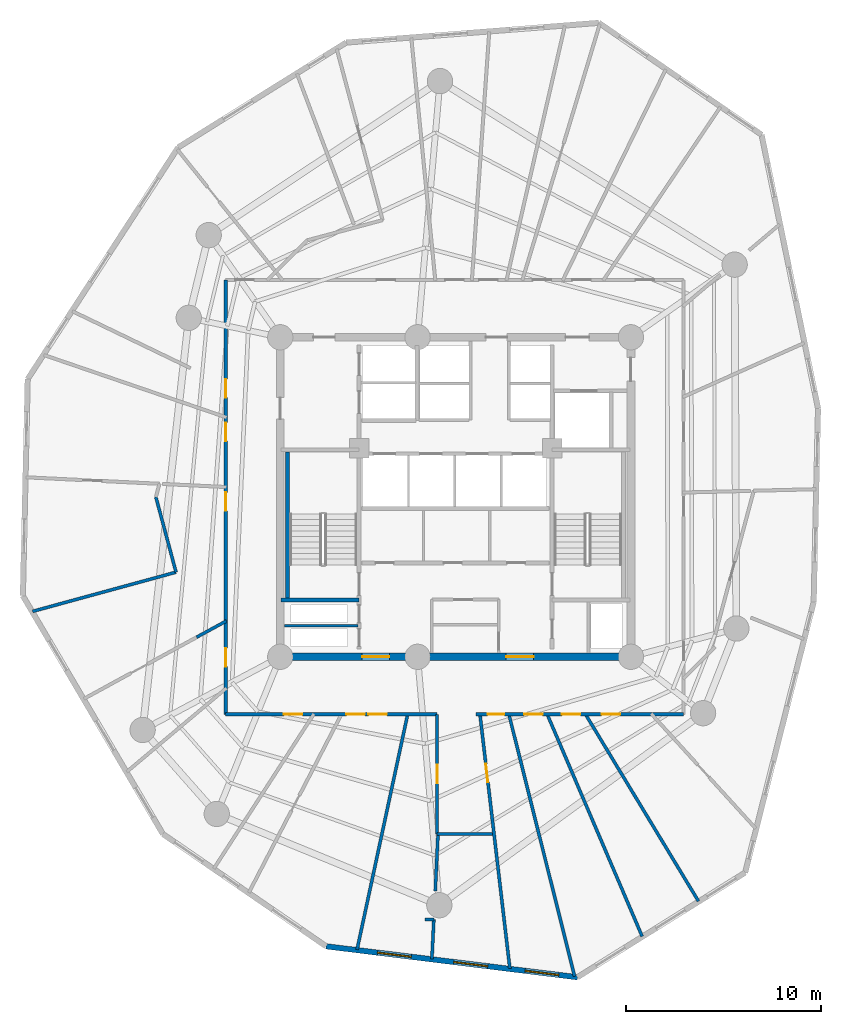
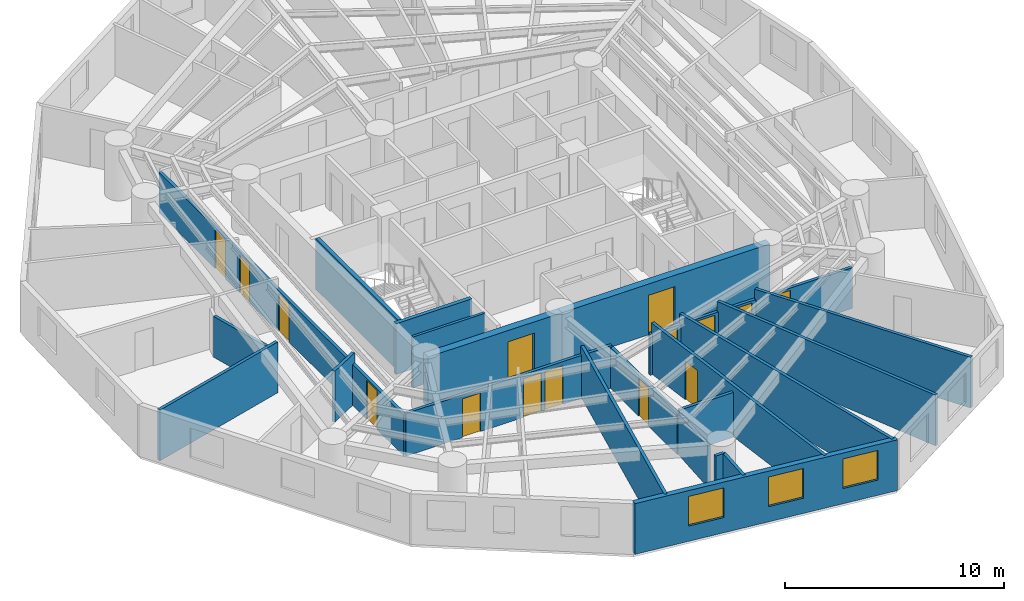
# One storey, part 3 of 8: 22 walls, 15 doors, 3 windows, 18 openings.
"""IFC4 building model written with IfcOpenShell, lengths in metres."""

import ifcopenshell
import ifcopenshell.guid

model = None  # the IFC model being written
_history = None  # IfcOwnerHistory: only IFC2X3 demands one
_inside = {}  # id of a spatial element -> (the spatial element, [elements in it])
_under = {}  # id of a project, library or spatial element -> (it, [spatial elements below it])
_declared = {}  # id of a project -> (the project, [libraries it declares])
_typed = {}  # id of a type object -> (the type object, [elements of that type])
_made_of = {}  # id of a material, layer set ... -> (it, [elements and type objects made of it])


def new_model(schema):
    """Start an empty IFC model of exactly this schema.

    Asked for "IFC4X3", IfcOpenShell would pick the latest addendum, in which some entities
    have other attributes; the version numbers below select the first issue.
    IFC2X3 requires an IfcOwnerHistory on every rooted entity: one is made here for all.
    """
    global model, _history
    if schema == "IFC4X3":
        model = ifcopenshell.file(schema_version=(4, 3, 0, 0))
    else:
        model = ifcopenshell.file(schema=schema)
    _inside.clear()
    _under.clear()
    _declared.clear()
    _typed.clear()
    _made_of.clear()
    _history = None
    if model.schema == "IFC2X3":
        org = make("IfcOrganization", Name="unknown")
        user = make(
            "IfcPersonAndOrganization",
            ThePerson=make("IfcPerson", FamilyName="unknown"),
            TheOrganization=org,
        )
        app = make(
            "IfcApplication",
            ApplicationDeveloper=org,
            Version="unknown",
            ApplicationFullName="unknown",
            ApplicationIdentifier="unknown",
        )
        _history = make(
            "IfcOwnerHistory",
            OwningUser=user,
            OwningApplication=app,
            ChangeAction="ADDED",
            CreationDate=0,
        )
    return model


def make(cls, **values):
    """One entity of the class cls with the attributes given. An attribute that is None is left unset."""
    return model.create_entity(
        cls, **{name: value for name, value in values.items() if value is not None}
    )


def rooted(cls, **values):
    """An entity with a GlobalId (a new one), such as an element, a storey or a relation."""
    return make(cls, GlobalId=ifcopenshell.guid.new(), OwnerHistory=_history, **values)


def si_unit(unit_type, name, prefix=None):
    """IfcSIUnit, for example si_unit("LENGTHUNIT", "METRE", prefix="MILLI")."""
    return make("IfcSIUnit", UnitType=unit_type, Prefix=prefix, Name=name)


def assignment(units):
    """IfcUnitAssignment: the units of a project."""
    return None if units is None else make("IfcUnitAssignment", Units=units)


def point(xyz):
    """IfcCartesianPoint."""
    return None if xyz is None else make("IfcCartesianPoint", Coordinates=xyz)


def direction(xyz):
    """IfcDirection."""
    return None if xyz is None else make("IfcDirection", DirectionRatios=xyz)


def frame(location, z_axis=None, x_axis=None):
    """IfcAxis2Placement3D, a coordinate frame: its origin and axes. An axis left out is left unset."""
    return make(
        "IfcAxis2Placement3D",
        Location=point(location),
        Axis=direction(z_axis),
        RefDirection=direction(x_axis),
    )


def frame_2d(location, x_axis=None):
    """IfcAxis2Placement2D, a coordinate frame in the plane: its origin and x axis."""
    return make(
        "IfcAxis2Placement2D", Location=point(location), RefDirection=direction(x_axis)
    )


def origin():
    """The frame at (0, 0, 0) with its axes left unset."""
    return frame((0.0, 0.0, 0.0))


def origin_with_axes():
    """The frame at (0, 0, 0) with the z axis (0, 0, 1) and the x axis (1, 0, 0) written out."""
    return frame((0.0, 0.0, 0.0), z_axis=(0.0, 0.0, 1.0), x_axis=(1.0, 0.0, 0.0))


def place(relative_to, where):
    """IfcLocalPlacement: puts the frame where relative to a parent placement (None: the world)."""
    return make(
        "IfcLocalPlacement", PlacementRelTo=relative_to, RelativePlacement=where
    )


def context(
    kind, dimensions, precision=None, world=None, true_north=None, identifier=None
):
    """IfcGeometricRepresentationContext, for example the 3D "Model" context."""
    return make(
        "IfcGeometricRepresentationContext",
        ContextIdentifier=identifier,
        ContextType=kind,
        CoordinateSpaceDimension=dimensions,
        Precision=precision,
        WorldCoordinateSystem=world,
        TrueNorth=true_north,
    )


def subcontext(parent, identifier, kind, view, scale=None):
    """IfcGeometricRepresentationSubContext, for example "Body" below "Model"."""
    return make(
        "IfcGeometricRepresentationSubContext",
        ContextIdentifier=identifier,
        ContextType=kind,
        ParentContext=parent,
        TargetScale=scale,
        TargetView=view,
    )


def project(units=None, contexts=None):
    """IfcProject with its units and contexts."""
    return rooted(
        "IfcProject",
        Name="project",
        RepresentationContexts=contexts,
        UnitsInContext=assignment(units),
    )


def spatial(cls, under=None, at=None, **own):
    """A site, building, storey or space (cls), placed at a placement, below another one or the project."""
    s = rooted(cls, ObjectPlacement=at, **own)
    if under is not None:
        _under.setdefault(under.id(), (under, []))[1].append(s)
    return s


def profile(cls, at=None, kind="AREA", **sizes):
    """A parametric profile (cls). Its sizes go by their IFC names, for example OverallWidth=200.0."""
    return make(cls, ProfileType=kind, Position=at, **sizes)


def rectangle(**sizes):
    """IfcRectangleProfileDef."""
    return profile("IfcRectangleProfileDef", **sizes)


def extrude(swept, where, along, depth):
    """IfcExtrudedAreaSolid: the profile swept, set in the frame where, extruded along a direction by depth."""
    return make(
        "IfcExtrudedAreaSolid",
        SweptArea=swept,
        Position=where,
        ExtrudedDirection=direction(along),
        Depth=depth,
    )


def shape(context_of_items, identifier, shape_type, items):
    """IfcShapeRepresentation: the items that make up one representation, for example the "Body"."""
    return make(
        "IfcShapeRepresentation",
        ContextOfItems=context_of_items,
        RepresentationIdentifier=identifier,
        RepresentationType=shape_type,
        Items=items,
    )


def source(mapping_origin, context_of_items, identifier, shape_type, items):
    """IfcRepresentationMap: a shape defined once, which mapped items show again and again."""
    return make(
        "IfcRepresentationMap",
        MappingOrigin=mapping_origin,
        MappedRepresentation=shape(context_of_items, identifier, shape_type, items),
    )


def transform(
    local_origin,
    x_axis=None,
    y_axis=None,
    z_axis=None,
    scale=None,
    scale2=None,
    scale3=None,
    uniform=True,
):
    """IfcCartesianTransformationOperator3D, or its non-uniform kind. x_axis, y_axis, z_axis: its Axis1, 2, 3."""
    if uniform:
        return make(
            "IfcCartesianTransformationOperator3D",
            Axis1=direction(x_axis),
            Axis2=direction(y_axis),
            LocalOrigin=point(local_origin),
            Scale=scale,
            Axis3=direction(z_axis),
        )
    return make(
        "IfcCartesianTransformationOperator3DnonUniform",
        Axis1=direction(x_axis),
        Axis2=direction(y_axis),
        LocalOrigin=point(local_origin),
        Scale=scale,
        Axis3=direction(z_axis),
        Scale2=scale2,
        Scale3=scale3,
    )


def mapped(mapping_source, mapping_target):
    """IfcMappedItem: shows the shape of a source again, moved by a transform."""
    return make(
        "IfcMappedItem", MappingSource=mapping_source, MappingTarget=mapping_target
    )


def material(Name=None, Category=None):
    """IfcMaterial."""
    return make("IfcMaterial", Name=Name, Category=Category)


def layer(
    of_material, thickness, ventilated=None, Name=None, Category=None, Priority=None
):
    """IfcMaterialLayer: one layer of a wall or slab, of a material (None: an air gap)."""
    return make(
        "IfcMaterialLayer",
        Material=of_material,
        LayerThickness=thickness,
        IsVentilated=ventilated,
        Name=Name,
        Category=Category,
        Priority=Priority,
    )


def layer_set(layers, Name=None):
    """IfcMaterialLayerSet."""
    return make("IfcMaterialLayerSet", MaterialLayers=layers, LayerSetName=Name)


def made_of(thing, what):
    """Note that an element or type object is made of a material, layer set ...; save() writes the relation."""
    if what is not None:
        _made_of.setdefault(what.id(), (what, []))[1].append(thing)
    return thing


def type_object(cls, material=None, **own):
    """A type object (cls), such as IfcWallType, which elements share."""
    return made_of(rooted(cls, **own), material)


def element(
    cls,
    number,
    at=None,
    inside=None,
    cuts=None,
    type_object=None,
    material=None,
    context=None,
    identifier="Body",
    shape_type=None,
    held_by="IfcProductDefinitionShape",
    body=None,
    shapes=None,
    **own,
):
    """One element of the class cls, such as IfcWall. Its Tag is "e" and its number.

    at: its placement. inside: the storey or other place that contains it. cuts: it is an
    opening in that element (IfcRelVoidsElement). A single representation is given by context,
    identifier, shape_type and body (its items); several are given by shapes. held_by: the class
    of the entity that holds the representations. save() writes the other relations.
    """
    e = rooted(cls, Tag="e%d" % number, ObjectPlacement=at, **own)
    if body is not None:
        shapes = [shape(context, identifier, shape_type, body)]
    if shapes is not None:
        e.Representation = make(held_by, Representations=shapes)
    if inside is not None:
        _inside.setdefault(inside.id(), (inside, []))[1].append(e)
    if cuts is not None:
        rooted(
            "IfcRelVoidsElement", RelatingBuildingElement=cuts, RelatedOpeningElement=e
        )
    if type_object is not None:
        _typed.setdefault(type_object.id(), (type_object, []))[1].append(e)
    return made_of(e, material)


def fill(opening, filler):
    """IfcRelFillsElement: the door or window that sits in an opening."""
    return rooted(
        "IfcRelFillsElement",
        RelatingOpeningElement=opening,
        RelatedBuildingElement=filler,
    )


def aggregate(whole, parts):
    """IfcRelAggregates: a whole, such as a stair, and the parts it consists of."""
    return rooted("IfcRelAggregates", RelatingObject=whole, RelatedObjects=parts)


def save(model, path):
    """Write the relations noted so far, then the file.

    IfcRelAggregates (storeys below a building ...), IfcRelContainedInSpatialStructure (elements
    in a storey), IfcRelDefinesByType, IfcRelAssociatesMaterial and IfcRelDeclares: one each for
    every whole, place, type object, material and project.
    """
    for whole, parts in _under.values():
        aggregate(whole, parts)
    for where, things in _inside.values():
        rooted(
            "IfcRelContainedInSpatialStructure",
            RelatedElements=things,
            RelatingStructure=where,
        )
    for kind, things in _typed.values():
        rooted("IfcRelDefinesByType", RelatedObjects=things, RelatingType=kind)
    for what, things in _made_of.values():
        rooted("IfcRelAssociatesMaterial", RelatedObjects=things, RelatingMaterial=what)
    for by, libraries in _declared.values():
        rooted("IfcRelDeclares", RelatingContext=by, RelatedDefinitions=libraries)
    model.write(path)


model = new_model("IFC4")

# Units and contexts
model_context = context("Model", 3, precision=1e-05, world=origin(), true_north=direction((0.0, 1.0)))
body_context = subcontext(model_context, "Body", "Model", "MODEL_VIEW")
ifc_project = project(units=[si_unit("LENGTHUNIT", "METRE"), si_unit("AREAUNIT", "SQUARE_METRE"), si_unit("VOLUMEUNIT", "CUBIC_METRE"), si_unit("PLANEANGLEUNIT", "RADIAN"), si_unit("MASSUNIT", "GRAM", prefix="KILO")], contexts=[model_context])

# Site, building, storey
site_placement = place(None, origin())
site = spatial("IfcSite", under=ifc_project, at=site_placement, CompositionType="ELEMENT")
building_placement = place(site_placement, origin())
building = spatial("IfcBuilding", under=site, at=building_placement, Name="Karkom Vertical University and Central Library", CompositionType="ELEMENT")
storey_placement = place(building_placement, frame((0.0, 0.0, 184.0)))
storey = spatial("IfcBuildingStorey", under=building, at=storey_placement, Name="L53", CompositionType="ELEMENT", Elevation=184.0)

# Wall, openings, windows
ifc_material_1 = material(Name="Brick-faced precast concrete C45/55", Category="masonry")
ifc_layer_1 = layer(ifc_material_1, 0.280029296875)
ifc_layer_set_1 = layer_set([ifc_layer_1], Name="Brick-faced precast concrete C45/55")
wall_type_1 = type_object("IfcWallType", Name="ENV-WL-BRK-280", PredefinedType="SOLIDWALL", material=ifc_layer_set_1)
wall_1_placement = place(storey_placement, frame((21.850341796875, 3.439453125, 0.0), z_axis=(0.0, 0.0, 1.0), x_axis=(0.992503795776, -0.122213810065, 0.0)))
wall_1 = element("IfcWall", 1, at=wall_1_placement, inside=storey, type_object=wall_type_1, Name="Level 53 Brick-Faced Precast Facade Wall 04", PredefinedType="SOLIDWALL", context=body_context, shape_type="SweptSolid", body=[
    extrude(rectangle(XDim=13.004638671875, YDim=0.280029296875, at=frame_2d((6.50244140625, 0.0))), origin(), (0.0, 0.0, 1.0), 2.824951171875),
])
opening_1_placement = place(wall_1_placement, frame((2.662353515625, 0.0, 0.85009765625)))
opening_1 = element("IfcOpeningElement", 2, at=opening_1_placement, cuts=wall_1, Name="Opening WN-08", PredefinedType="OPENING", context=body_context, shape_type="SweptSolid", body=[
    extrude(rectangle(XDim=1.75, YDim=1.64990234375, at=frame_2d((0.875, 0.824951171875))), frame((0.0, 0.14990234375, 0.0), z_axis=(0.0, -1.0, 0.0), x_axis=(1.0, 0.0, 0.0)), (0.0, 0.0, 1.0), 0.300048828125),
])
opening_2_placement = place(wall_1_placement, frame((6.607421875, 0.0, 0.85009765625)))
opening_2 = element("IfcOpeningElement", 3, at=opening_2_placement, cuts=wall_1, Name="Opening WN-08", PredefinedType="OPENING", context=body_context, shape_type="SweptSolid", body=[
    extrude(rectangle(XDim=1.75, YDim=1.64990234375, at=frame_2d((0.875, 0.824951171875))), frame((0.0, 0.14990234375, 0.0), z_axis=(0.0, -1.0, 0.0), x_axis=(1.0, 0.0, 0.0)), (0.0, 0.0, 1.0), 0.300048828125),
])
opening_3_placement = place(wall_1_placement, frame((10.292236328125, 0.0, 0.85009765625)))
opening_3 = element("IfcOpeningElement", 4, at=opening_3_placement, cuts=wall_1, Name="Opening WN-08", PredefinedType="OPENING", context=body_context, shape_type="SweptSolid", body=[
    extrude(rectangle(XDim=1.75, YDim=1.64990234375, at=frame_2d((0.875, 0.824951171875))), frame((0.0, 0.14990234375, 0.0), z_axis=(0.0, -1.0, 0.0), x_axis=(1.0, 0.0, 0.0)), (0.0, 0.0, 1.0), 0.300048828125),
])
ifc_material_2 = material(Name="Aluminium thermal-break frame with solar-control IGU", Category="aluminium")
window_type = type_object("IfcWindowType", Name="ENV-WIN-WN-08", PartitioningType="SINGLE_PANEL", PredefinedType="WINDOW", material=ifc_material_2)
shared_shape_1 = source(origin_with_axes(), body_context, "Body", "SweptSolid", [
    extrude(rectangle(XDim=1.75, YDim=1.64990234375, at=frame_2d((0.875, 0.824951171875))), frame((0.0, 0.030029296875, 0.0), z_axis=(0.0, -1.0, 0.0), x_axis=(1.0, 0.0, 0.0)), (0.0, 0.0, 1.0), 0.06005859375),
])
window_1_placement = place(opening_1_placement, origin())
window_1 = element("IfcWindow", 5, at=window_1_placement, inside=storey, type_object=window_type, Name="Level 53 Punched Window 4.1", OverallHeight=1.64990234375, OverallWidth=1.75, PartitioningType="SINGLE_PANEL", PredefinedType="WINDOW", context=body_context, shape_type="MappedRepresentation", body=[
    mapped(shared_shape_1, transform((0.0, 0.0, 0.0), scale=1.0)),
])
fill(opening_1, window_1)
window_2_placement = place(opening_2_placement, origin())
window_2 = element("IfcWindow", 6, at=window_2_placement, inside=storey, type_object=window_type, Name="Level 53 Punched Window 4.2", OverallHeight=1.64990234375, OverallWidth=1.75, PartitioningType="SINGLE_PANEL", PredefinedType="WINDOW", context=body_context, shape_type="MappedRepresentation", body=[
    mapped(shared_shape_1, transform((0.0, 0.0, 0.0), scale=1.0)),
])
fill(opening_2, window_2)
window_3_placement = place(opening_3_placement, origin())
window_3 = element("IfcWindow", 7, at=window_3_placement, inside=storey, type_object=window_type, Name="Level 53 Punched Window 4.3", OverallHeight=1.64990234375, OverallWidth=1.75, PartitioningType="SINGLE_PANEL", PredefinedType="WINDOW", context=body_context, shape_type="MappedRepresentation", body=[
    mapped(shared_shape_1, transform((0.0, 0.0, 0.0), scale=1.0)),
])
fill(opening_3, window_3)

# Wall, openings, doors
ifc_material_3 = material(Name="Insulated metal-stud drywall 160mm", Category="gypsum")
ifc_layer_2 = layer(ifc_material_3, 0.159912109375)
ifc_layer_set_2 = layer_set([ifc_layer_2], Name="Insulated metal-stud drywall 160mm")
wall_type_2 = type_object("IfcWallType", Name="INT-WL-COR-160", PredefinedType="PARTITIONING", material=ifc_layer_set_2)
wall_2_placement = place(storey_placement, frame((16.699951171875, 15.35009765625, 0.0), z_axis=(0.0, 0.0, 1.0), x_axis=(0.0, 1.0, 0.0)))
wall_2 = element("IfcWall", 8, at=wall_2_placement, inside=storey, type_object=wall_type_2, Name="Level 53 Interior Partition Wall L53-CORW-CW-002", PredefinedType="PARTITIONING", context=body_context, shape_type="SweptSolid", body=[
    extrude(rectangle(XDim=22.2998046875, YDim=0.159912109375, at=frame_2d((11.14990234375, 0.0))), origin(), (0.0, 0.0, 1.0), 2.27490234375),
])
opening_4_placement = place(wall_2_placement, frame((10.43505859375, 0.0, 0.0)))
opening_4 = element("IfcOpeningElement", 9, at=opening_4_placement, cuts=wall_2, Name="Opening FD-RM2", PredefinedType="OPENING", context=body_context, shape_type="SweptSolid", body=[
    extrude(rectangle(XDim=0.9599609375, YDim=2.14990234375, at=frame_2d((0.47998046875, 1.074951171875))), frame((0.0, 0.08984375, 0.0), z_axis=(0.0, -1.0, 0.0), x_axis=(1.0, 0.0, 0.0)), (0.0, 0.0, 1.0), 0.179931640625),
])
opening_5_placement = place(wall_2_placement, frame((2.4423828125, 0.0, 0.0)))
opening_5 = element("IfcOpeningElement", 10, at=opening_5_placement, cuts=wall_2, Name="Opening D-RM1", PredefinedType="OPENING", context=body_context, shape_type="SweptSolid", body=[
    extrude(rectangle(XDim=0.949951171875, YDim=2.14990234375, at=frame_2d((0.47509765625, 1.074951171875))), frame((0.0, 0.08984375, 0.0), z_axis=(0.0, -1.0, 0.0), x_axis=(1.0, 0.0, 0.0)), (0.0, 0.0, 1.0), 0.179931640625),
])
opening_6_placement = place(wall_2_placement, frame((16.25, 0.0, 0.0)))
opening_6 = element("IfcOpeningElement", 11, at=opening_6_placement, cuts=wall_2, Name="Opening D-RM1", PredefinedType="OPENING", context=body_context, shape_type="SweptSolid", body=[
    extrude(rectangle(XDim=0.949951171875, YDim=2.14990234375, at=frame_2d((0.47509765625, 1.074951171875))), frame((0.0, 0.08984375, 0.0), z_axis=(0.0, -1.0, 0.0), x_axis=(1.0, 0.0, 0.0)), (0.0, 0.0, 1.0), 0.179931640625),
])
opening_7_placement = place(wall_2_placement, frame((14.02001953125, 0.0, 0.0)))
opening_7 = element("IfcOpeningElement", 12, at=opening_7_placement, cuts=wall_2, Name="Opening D-RM1", PredefinedType="OPENING", context=body_context, shape_type="SweptSolid", body=[
    extrude(rectangle(XDim=0.949951171875, YDim=2.14990234375, at=frame_2d((0.47509765625, 1.074951171875))), frame((0.0, 0.08984375, 0.0), z_axis=(0.0, -1.0, 0.0), x_axis=(1.0, 0.0, 0.0)), (0.0, 0.0, 1.0), 0.179931640625),
])
ifc_material_4 = material(Name="Fire-rated oak veneer door", Category="wood")
door_type_1 = type_object("IfcDoorType", Name="INT-DR-FRM2", OperationType="NOTDEFINED", PredefinedType="DOOR", material=ifc_material_4)
shared_shape_2 = source(origin_with_axes(), body_context, "Body", "SweptSolid", [
    extrude(rectangle(XDim=0.9599609375, YDim=2.14990234375, at=frame_2d((0.47998046875, 1.074951171875))), frame((0.0, 0.02490234375, 0.0), z_axis=(0.0, -1.0, 0.0), x_axis=(1.0, 0.0, 0.0)), (0.0, 0.0, 1.0), 0.050048828125),
])
door_1_placement = place(opening_4_placement, origin())
door_1 = element("IfcDoor", 13, at=door_1_placement, inside=storey, type_object=door_type_1, Name="Level 53 Room Entry Door 010", OperationType="SINGLE_SWING_RIGHT", OverallHeight=2.14990234375, OverallWidth=0.9599609375, PredefinedType="DOOR", context=body_context, shape_type="MappedRepresentation", body=[
    mapped(shared_shape_2, transform((0.0, 0.0, 0.0), scale=1.0)),
])
fill(opening_4, door_1)
ifc_material_5 = material(Name="Solid-core oak veneer door", Category="wood")
door_type_2 = type_object("IfcDoorType", Name="INT-DR-RM1", OperationType="NOTDEFINED", PredefinedType="DOOR", material=ifc_material_5)
shared_shape_3 = source(origin_with_axes(), body_context, "Body", "SweptSolid", [
    extrude(rectangle(XDim=0.949951171875, YDim=2.14990234375, at=frame_2d((0.47509765625, 1.074951171875))), frame((0.0, 0.02490234375, 0.0), z_axis=(0.0, -1.0, 0.0), x_axis=(1.0, 0.0, 0.0)), (0.0, 0.0, 1.0), 0.050048828125),
])
door_2_placement = place(opening_5_placement, origin())
door_2 = element("IfcDoor", 14, at=door_2_placement, inside=storey, type_object=door_type_2, Name="Level 53 Room Entry Door 030", OperationType="SINGLE_SWING_LEFT", OverallHeight=2.14990234375, OverallWidth=0.949951171875, PredefinedType="DOOR", context=body_context, shape_type="MappedRepresentation", body=[
    mapped(shared_shape_3, transform((0.0, 0.0, 0.0), scale=1.0)),
])
fill(opening_5, door_2)
door_3_placement = place(opening_6_placement, origin())
door_3 = element("IfcDoor", 15, at=door_3_placement, inside=storey, type_object=door_type_2, Name="Level 53 Room Entry Door 280", OperationType="SINGLE_SWING_RIGHT", OverallHeight=2.14990234375, OverallWidth=0.949951171875, PredefinedType="DOOR", context=body_context, shape_type="MappedRepresentation", body=[
    mapped(shared_shape_3, transform((0.0, 0.0, 0.0), scale=1.0)),
])
fill(opening_6, door_3)
door_4_placement = place(opening_7_placement, origin())
door_4 = element("IfcDoor", 16, at=door_4_placement, inside=storey, type_object=door_type_2, Name="Level 53 Room Entry Door 290", OperationType="SINGLE_SWING_LEFT", OverallHeight=2.14990234375, OverallWidth=0.949951171875, PredefinedType="DOOR", context=body_context, shape_type="MappedRepresentation", body=[
    mapped(shared_shape_3, transform((0.0, 0.0, 0.0), scale=1.0)),
])
fill(opening_7, door_4)

# Wall
wall_3_placement = place(storey_placement, frame((31.22802734375, 15.379150390625, 0.0), z_axis=(0.0, 0.0, 1.0), x_axis=(0.243329072285, -0.969943793516, 0.0)))
element("IfcWall", 17, at=wall_3_placement, inside=storey, type_object=wall_type_2, Name="Level 53 Interior Partition Wall L53-PW-016", PredefinedType="PARTITIONING", context=body_context, shape_type="SweptSolid", body=[
    extrude(rectangle(XDim=13.899169921875, YDim=0.159912109375, at=frame_2d((6.94970703125, 0.0))), origin(), (0.0, 0.0, 1.0), 2.824951171875),
])

# Wall, opening, door
wall_4_placement = place(storey_placement, frame((29.747314453125, 15.3798828125, 0.0), z_axis=(0.0, 0.0, 1.0), x_axis=(0.116810045118, -0.993154274702, 0.0)))
wall_4 = element("IfcWall", 18, at=wall_4_placement, inside=storey, type_object=wall_type_2, Name="Level 53 Interior Partition Wall L53-PW-015", PredefinedType="PARTITIONING", context=body_context, shape_type="SweptSolid", body=[
    extrude(rectangle(XDim=13.165283203125, YDim=0.159912109375, at=frame_2d((6.58251953125, 0.0))), origin(), (0.0, 0.0, 1.0), 2.824951171875),
])
opening_8_placement = place(wall_4_placement, frame((2.58544921875, 0.0, 0.0)))
opening_8 = element("IfcOpeningElement", 19, at=opening_8_placement, cuts=wall_4, Name="Opening D-RM1", PredefinedType="OPENING", context=body_context, shape_type="SweptSolid", body=[
    extrude(rectangle(XDim=0.949951171875, YDim=2.14990234375, at=frame_2d((0.47509765625, 1.074951171875))), frame((0.0, 0.08984375, 0.0), z_axis=(0.0, -1.0, 0.0), x_axis=(1.0, 0.0, 0.0)), (0.0, 0.0, 1.0), 0.179931640625),
])
door_5_placement = place(opening_8_placement, origin())
door_5 = element("IfcDoor", 20, at=door_5_placement, inside=storey, type_object=door_type_2, Name="Level 53 Room Entry Door 080", OperationType="SINGLE_SWING_RIGHT", OverallHeight=2.14990234375, OverallWidth=0.949951171875, PredefinedType="DOOR", context=body_context, shape_type="MappedRepresentation", body=[
    mapped(shared_shape_3, transform((0.0, 0.0, 0.0), scale=1.0)),
])
fill(opening_8, door_5)

# Walls
wall_5_placement = place(storey_placement, frame((33.1904296875, 15.377685546875, 0.0), z_axis=(0.0, 0.0, 1.0), x_axis=(0.393150982367, -0.919473928431, 0.0)))
element("IfcWall", 21, at=wall_5_placement, inside=storey, type_object=wall_type_2, Name="Level 53 Interior Partition Wall L53-PW-017", PredefinedType="PARTITIONING", context=body_context, shape_type="SweptSolid", body=[
    extrude(rectangle(XDim=12.427734375, YDim=0.159912109375, at=frame_2d((6.2138671875, 0.0))), origin(), (0.0, 0.0, 1.0), 2.824951171875),
])
wall_6_placement = place(storey_placement, frame((26.046875, 15.37939453125, 0.0), z_axis=(0.0, 0.0, 1.0), x_axis=(-0.21025180994, -0.977647265847, 0.0)))
element("IfcWall", 22, at=wall_6_placement, inside=storey, type_object=wall_type_2, Name="Level 53 Interior Partition Wall L53-PW-011", PredefinedType="PARTITIONING", context=body_context, shape_type="SweptSolid", body=[
    extrude(rectangle(XDim=12.387451171875, YDim=0.159912109375, at=frame_2d((6.19384765625, 0.0))), origin(), (0.0, 0.0, 1.0), 2.824951171875),
])
wall_7_placement = place(storey_placement, frame((35.153076171875, 15.375732421875, 0.0), z_axis=(0.0, 0.0, 1.0), x_axis=(0.517229980549, -0.855846450727, 0.0)))
element("IfcWall", 23, at=wall_7_placement, inside=storey, type_object=wall_type_2, Name="Level 53 Interior Partition Wall L53-PW-018", PredefinedType="PARTITIONING", context=body_context, shape_type="SweptSolid", body=[
    extrude(rectangle(XDim=11.242431640625, YDim=0.159912109375, at=frame_2d((5.62109375, 0.0))), origin(), (0.0, 0.0, 1.0), 2.824951171875),
])

# Wall, openings, doors
wall_8_placement = place(storey_placement, frame((27.550048828125, 15.35009765625, 0.0), z_axis=(0.0, 0.0, 1.0), x_axis=(-1.0, 0.0, 0.0)))
wall_8 = element("IfcWall", 24, at=wall_8_placement, inside=storey, type_object=wall_type_2, Name="Level 53 Interior Partition Wall L53-CORW-CW-001", PredefinedType="PARTITIONING", context=body_context, shape_type="SweptSolid", body=[
    extrude(rectangle(XDim=10.85009765625, YDim=0.159912109375, at=frame_2d((5.425048828125, 0.0))), origin(), (0.0, 0.0, 1.0), 2.375),
])
opening_9_placement = place(wall_8_placement, frame((6.91748046875, 0.0, 0.0)))
opening_9 = element("IfcOpeningElement", 25, at=opening_9_placement, cuts=wall_8, Name="Opening D-RM1", PredefinedType="OPENING", context=body_context, shape_type="SweptSolid", body=[
    extrude(rectangle(XDim=0.949951171875, YDim=2.14990234375, at=frame_2d((0.47509765625, 1.074951171875))), frame((0.0, 0.08984375, 0.0), z_axis=(0.0, -1.0, 0.0), x_axis=(1.0, 0.0, 0.0)), (0.0, 0.0, 1.0), 0.179931640625),
])
opening_10_placement = place(wall_8_placement, frame((3.7099609375, 0.0, 0.0)))
opening_10 = element("IfcOpeningElement", 26, at=opening_10_placement, cuts=wall_8, Name="Opening D-RM1", PredefinedType="OPENING", context=body_context, shape_type="SweptSolid", body=[
    extrude(rectangle(XDim=0.949951171875, YDim=2.14990234375, at=frame_2d((0.47509765625, 1.074951171875))), frame((0.0, 0.08984375, 0.0), z_axis=(0.0, -1.0, 0.0), x_axis=(1.0, 0.0, 0.0)), (0.0, 0.0, 1.0), 0.179931640625),
])
opening_11_placement = place(wall_8_placement, frame((2.58251953125, 0.0, 0.0)))
opening_11 = element("IfcOpeningElement", 27, at=opening_11_placement, cuts=wall_8, Name="Opening D-RM1", PredefinedType="OPENING", context=body_context, shape_type="SweptSolid", body=[
    extrude(rectangle(XDim=0.949951171875, YDim=2.14990234375, at=frame_2d((0.47509765625, 1.074951171875))), frame((0.0, 0.08984375, 0.0), z_axis=(0.0, -1.0, 0.0), x_axis=(1.0, 0.0, 0.0)), (0.0, 0.0, 1.0), 0.179931640625),
])
door_6_placement = place(opening_9_placement, origin())
door_6 = element("IfcDoor", 28, at=door_6_placement, inside=storey, type_object=door_type_2, Name="Level 53 Room Entry Door 040", OperationType="SINGLE_SWING_RIGHT", OverallHeight=2.14990234375, OverallWidth=0.949951171875, PredefinedType="DOOR", context=body_context, shape_type="MappedRepresentation", body=[
    mapped(shared_shape_3, transform((0.0, 0.0, 0.0), scale=1.0)),
])
fill(opening_9, door_6)
door_7_placement = place(opening_10_placement, origin())
door_7 = element("IfcDoor", 29, at=door_7_placement, inside=storey, type_object=door_type_2, Name="Level 53 Room Entry Door 050", OperationType="SINGLE_SWING_LEFT", OverallHeight=2.14990234375, OverallWidth=0.949951171875, PredefinedType="DOOR", context=body_context, shape_type="MappedRepresentation", body=[
    mapped(shared_shape_3, transform((0.0, 0.0, 0.0), scale=1.0)),
])
fill(opening_10, door_7)
door_8_placement = place(opening_11_placement, origin())
door_8 = element("IfcDoor", 30, at=door_8_placement, inside=storey, type_object=door_type_2, Name="Level 53 Room Entry Door 060", OperationType="SINGLE_SWING_RIGHT", OverallHeight=2.14990234375, OverallWidth=0.949951171875, PredefinedType="DOOR", context=body_context, shape_type="MappedRepresentation", body=[
    mapped(shared_shape_3, transform((0.0, 0.0, 0.0), scale=1.0)),
])
fill(opening_11, door_8)

wall_9_placement = place(storey_placement, frame((40.199951171875, 15.35009765625, 0.0), z_axis=(0.0, 0.0, 1.0), x_axis=(-1.0, 0.0, 0.0)))
wall_9 = element("IfcWall", 31, at=wall_9_placement, inside=storey, type_object=wall_type_2, Name="Level 53 Interior Partition Wall L53-CORW-CW-005", PredefinedType="PARTITIONING", context=body_context, shape_type="SweptSolid", body=[
    extrude(rectangle(XDim=10.64990234375, YDim=0.159912109375, at=frame_2d((5.324951171875, 0.0))), origin(), (0.0, 0.0, 1.0), 2.27490234375),
])
opening_12_placement = place(wall_9_placement, frame((9.20166015625, 0.0, 0.0)))
opening_12 = element("IfcOpeningElement", 32, at=opening_12_placement, cuts=wall_9, Name="Opening D-BATH", PredefinedType="OPENING", context=body_context, shape_type="SweptSolid", body=[
    extrude(rectangle(XDim=0.860107421875, YDim=2.10009765625, at=frame_2d((0.43017578125, 1.050048828125))), frame((0.0, 0.08984375, 0.0), z_axis=(0.0, -1.0, 0.0), x_axis=(1.0, 0.0, 0.0)), (0.0, 0.0, 1.0), 0.179931640625),
])
opening_13_placement = place(wall_9_placement, frame((7.237548828125, 0.0, 0.0)))
opening_13 = element("IfcOpeningElement", 33, at=opening_13_placement, cuts=wall_9, Name="Opening D-RM1", PredefinedType="OPENING", context=body_context, shape_type="SweptSolid", body=[
    extrude(rectangle(XDim=0.949951171875, YDim=2.14990234375, at=frame_2d((0.47509765625, 1.074951171875))), frame((0.0, 0.08984375, 0.0), z_axis=(0.0, -1.0, 0.0), x_axis=(1.0, 0.0, 0.0)), (0.0, 0.0, 1.0), 0.179931640625),
])
opening_14_placement = place(wall_9_placement, frame((5.2900390625, 0.0, 0.0)))
opening_14 = element("IfcOpeningElement", 34, at=opening_14_placement, cuts=wall_9, Name="Opening D-RM1", PredefinedType="OPENING", context=body_context, shape_type="SweptSolid", body=[
    extrude(rectangle(XDim=0.949951171875, YDim=2.14990234375, at=frame_2d((0.47509765625, 1.074951171875))), frame((0.0, 0.08984375, 0.0), z_axis=(0.0, -1.0, 0.0), x_axis=(1.0, 0.0, 0.0)), (0.0, 0.0, 1.0), 0.179931640625),
])
opening_15_placement = place(wall_9_placement, frame((3.25244140625, 0.0, 0.0)))
opening_15 = element("IfcOpeningElement", 35, at=opening_15_placement, cuts=wall_9, Name="Opening D-RM1", PredefinedType="OPENING", context=body_context, shape_type="SweptSolid", body=[
    extrude(rectangle(XDim=0.949951171875, YDim=2.14990234375, at=frame_2d((0.47509765625, 1.074951171875))), frame((0.0, 0.08984375, 0.0), z_axis=(0.0, -1.0, 0.0), x_axis=(1.0, 0.0, 0.0)), (0.0, 0.0, 1.0), 0.179931640625),
])
ifc_material_6 = material(Name="Moisture-resistant oak door", Category="wood")
door_type_3 = type_object("IfcDoorType", Name="INT-DR-BATH", OperationType="NOTDEFINED", PredefinedType="DOOR", material=ifc_material_6)
shared_shape_4 = source(origin_with_axes(), body_context, "Body", "SweptSolid", [
    extrude(rectangle(XDim=0.860107421875, YDim=2.10009765625, at=frame_2d((0.43017578125, 1.050048828125))), frame((0.0, 0.02490234375, 0.0), z_axis=(0.0, -1.0, 0.0), x_axis=(1.0, 0.0, 0.0)), (0.0, 0.0, 1.0), 0.050048828125),
])
door_9_placement = place(opening_12_placement, origin())
door_9 = element("IfcDoor", 36, at=door_9_placement, inside=storey, type_object=door_type_3, Name="Level 53 Room Entry Door 090", OperationType="SINGLE_SWING_LEFT", OverallHeight=2.10009765625, OverallWidth=0.860107421875, PredefinedType="DOOR", context=body_context, shape_type="MappedRepresentation", body=[
    mapped(shared_shape_4, transform((0.0, 0.0, 0.0), scale=1.0)),
])
fill(opening_12, door_9)
door_10_placement = place(opening_13_placement, origin())
door_10 = element("IfcDoor", 37, at=door_10_placement, inside=storey, type_object=door_type_2, Name="Level 53 Room Entry Door 100", OperationType="SINGLE_SWING_RIGHT", OverallHeight=2.14990234375, OverallWidth=0.949951171875, PredefinedType="DOOR", context=body_context, shape_type="MappedRepresentation", body=[
    mapped(shared_shape_3, transform((0.0, 0.0, 0.0), scale=1.0)),
])
fill(opening_13, door_10)
door_11_placement = place(opening_14_placement, origin())
door_11 = element("IfcDoor", 38, at=door_11_placement, inside=storey, type_object=door_type_2, Name="Level 53 Room Entry Door 110", OperationType="SINGLE_SWING_LEFT", OverallHeight=2.14990234375, OverallWidth=0.949951171875, PredefinedType="DOOR", context=body_context, shape_type="MappedRepresentation", body=[
    mapped(shared_shape_3, transform((0.0, 0.0, 0.0), scale=1.0)),
])
fill(opening_14, door_11)
door_12_placement = place(opening_15_placement, origin())
door_12 = element("IfcDoor", 39, at=door_12_placement, inside=storey, type_object=door_type_2, Name="Level 53 Room Entry Door 120", OperationType="SINGLE_SWING_RIGHT", OverallHeight=2.14990234375, OverallWidth=0.949951171875, PredefinedType="DOOR", context=body_context, shape_type="MappedRepresentation", body=[
    mapped(shared_shape_3, transform((0.0, 0.0, 0.0), scale=1.0)),
])
fill(opening_15, door_12)

# Wall
wall_10_placement = place(storey_placement, frame((14.150634765625, 22.642822265625, 0.0), z_axis=(0.0, 0.0, 1.0), x_axis=(-0.96466117438, -0.263493488809, 0.0)))
element("IfcWall", 40, at=wall_10_placement, inside=storey, type_object=wall_type_2, Name="Level 53 Interior Partition Wall L53-PW-003", PredefinedType="PARTITIONING", context=body_context, shape_type="SweptSolid", body=[
    extrude(rectangle(XDim=7.634765625, YDim=0.159912109375, at=frame_2d((3.8173828125, 0.0))), origin(), (0.0, 0.0, 1.0), 2.824951171875),
])

# Wall, opening, door
wall_11_placement = place(storey_placement, frame((27.550048828125, 9.199951171875, 0.0), z_axis=(0.0, 0.0, 1.0), x_axis=(0.0, 1.0, 0.0)))
wall_11 = element("IfcWall", 41, at=wall_11_placement, inside=storey, type_object=wall_type_2, Name="Level 53 Interior Partition Wall L53-CORW-CW-008", PredefinedType="PARTITIONING", context=body_context, shape_type="SweptSolid", body=[
    extrude(rectangle(XDim=6.150146484375, YDim=0.159912109375, at=frame_2d((3.0751953125, 0.0))), origin(), (0.0, 0.0, 1.0), 2.27490234375),
])
opening_16_placement = place(wall_11_placement, frame((2.60009765625, 0.0, 0.0)))
opening_16 = element("IfcOpeningElement", 42, at=opening_16_placement, cuts=wall_11, Name="Opening D-RM1", PredefinedType="OPENING", context=body_context, shape_type="SweptSolid", body=[
    extrude(rectangle(XDim=0.949951171875, YDim=2.14990234375, at=frame_2d((0.47509765625, 1.074951171875))), frame((0.0, 0.08984375, 0.0), z_axis=(0.0, -1.0, 0.0), x_axis=(1.0, 0.0, 0.0)), (0.0, 0.0, 1.0), 0.179931640625),
])
door_13_placement = place(opening_16_placement, origin())
door_13 = element("IfcDoor", 43, at=door_13_placement, inside=storey, type_object=door_type_2, Name="Level 53 Room Entry Door 070", OperationType="SINGLE_SWING_LEFT", OverallHeight=2.14990234375, OverallWidth=0.949951171875, PredefinedType="DOOR", context=body_context, shape_type="MappedRepresentation", body=[
    mapped(shared_shape_3, transform((0.0, 0.0, 0.0), scale=1.0)),
])
fill(opening_16, door_13)

# Walls
wall_12_placement = place(storey_placement, frame((13.1171875, 26.5, 0.0), z_axis=(0.0, 0.0, 1.0), x_axis=(0.258800261224, -0.965930859218, 0.0)))
element("IfcWall", 44, at=wall_12_placement, inside=storey, type_object=wall_type_2, Name="Level 53 Interior Partition Wall L53-PW-002", PredefinedType="PARTITIONING", context=body_context, shape_type="SweptSolid", body=[
    extrude(rectangle(XDim=3.9931640625, YDim=0.159912109375, at=frame_2d((1.99658203125, 0.0))), origin(), (0.0, 0.0, 1.0), 2.27490234375),
])
wall_13_placement = place(storey_placement, frame((27.598876953125, 9.22998046875, 0.0), z_axis=(0.0, 0.0, 1.0), x_axis=(-0.048672114697, -0.998814810288, 0.0)))
element("IfcWall", 45, at=wall_13_placement, inside=storey, type_object=wall_type_2, Name="Level 53 Interior Partition Wall L53-PW-012", PredefinedType="PARTITIONING", context=body_context, shape_type="SweptSolid", body=[
    extrude(rectangle(XDim=2.9443359375, YDim=0.159912109375, at=frame_2d((1.47216796875, 0.0))), origin(), (0.0, 0.0, 1.0), 2.27490234375),
])
wall_14_placement = place(storey_placement, frame((30.38671875, 9.199951171875, 0.0), z_axis=(0.0, 0.0, 1.0), x_axis=(-1.0, 0.0, 0.0)))
element("IfcWall", 46, at=wall_14_placement, inside=storey, type_object=wall_type_2, Name="Level 53 Interior Partition Wall L53-CORW-CW-007", PredefinedType="PARTITIONING", context=body_context, shape_type="SweptSolid", body=[
    extrude(rectangle(XDim=2.836669921875, YDim=0.159912109375, at=frame_2d((1.41845703125, 0.0))), origin(), (0.0, 0.0, 1.0), 2.4951171875),
])
wall_15_placement = place(storey_placement, frame((27.383544921875, 4.80908203125, 0.0), z_axis=(0.0, 0.0, 1.0), x_axis=(-0.048681301377, -0.99881436258, 0.0)))
element("IfcWall", 47, at=wall_15_placement, inside=storey, type_object=wall_type_2, Name="Level 53 Interior Partition Wall L53-PW-014", PredefinedType="PARTITIONING", context=body_context, shape_type="SweptSolid", body=[
    extrude(rectangle(XDim=2.01611328125, YDim=0.159912109375, at=frame_2d((1.008056640625, 0.0))), origin(), (0.0, 0.0, 1.0), 2.824951171875),
])
wall_16_placement = place(storey_placement, frame((16.739501953125, 20.1416015625, 0.0), z_axis=(0.0, 0.0, 1.0), x_axis=(-0.877552641587, -0.479480303291, 0.0)))
element("IfcWall", 48, at=wall_16_placement, inside=storey, type_object=wall_type_2, Name="Level 53 Interior Partition Wall L53-PW-005", PredefinedType="PARTITIONING", context=body_context, shape_type="SweptSolid", body=[
    extrude(rectangle(XDim=1.742431640625, YDim=0.159912109375, at=frame_2d((0.87109375, 0.0))), origin(), (0.0, 0.0, 1.0), 2.824951171875),
])
wall_17_placement = place(storey_placement, frame((26.926025390625, 4.80908203125, 0.0), z_axis=(0.0, 0.0, 1.0), x_axis=(1.0, 0.0, 0.0)))
element("IfcWall", 49, at=wall_17_placement, inside=storey, type_object=wall_type_2, Name="Level 53 Interior Partition Wall L53-PW-013", PredefinedType="PARTITIONING", context=body_context, shape_type="SweptSolid", body=[
    extrude(rectangle(XDim=0.45751953125, YDim=0.159912109375, at=frame_2d((0.228759765625, 0.0))), origin(), (0.0, 0.0, 1.0), 2.824951171875),
])
ifc_material_7 = material(Name="Metal-stud gypsum partition 140mm", Category="gypsum")
ifc_layer_3 = layer(ifc_material_7, 0.139892578125)
ifc_layer_set_3 = layer_set([ifc_layer_3], Name="Metal-stud gypsum partition 140mm")
wall_type_3 = type_object("IfcWallType", Name="INT-WL-SUB-140H", PredefinedType="PARTITIONING", material=ifc_layer_set_3)
wall_18_placement = place(storey_placement, frame((19.70703125, 19.889892578125, 0.0), z_axis=(0.0, 0.0, 1.0), x_axis=(1.0, 0.0, 0.0)))
element("IfcWall", 50, at=wall_18_placement, inside=storey, type_object=wall_type_3, Name="Level 53 Interior Partition Wall L53-CW-RIS-W", PredefinedType="PARTITIONING", context=body_context, shape_type="SweptSolid", body=[
    extrude(rectangle(XDim=3.789794921875, YDim=0.139892578125, at=frame_2d((1.89501953125, 0.0))), origin(), (0.0, 0.0, 1.0), 2.824951171875),
])

# Wall, opening, door
ifc_material_8 = material(Name="Concrete C50/60", Category="concrete")
ifc_layer_4 = layer(ifc_material_8, 0.39990234375)
ifc_layer_set_4 = layer_set([ifc_layer_4], Name="Concrete C50/60")
wall_type_4 = type_object("IfcWallType", Name="STR-WL-CW-400", PredefinedType="SHEAR", material=ifc_layer_set_4)
wall_19_placement = place(storey_placement, frame((19.5, 18.300048828125, 0.0), z_axis=(0.0, 0.0, 1.0), x_axis=(1.0, 0.0, 0.0)))
wall_19 = element("IfcWall", 51, at=wall_19_placement, inside=storey, type_object=wall_type_4, Name="Level 53 Central Core Shear Wall SW1", PredefinedType="SHEAR", context=body_context, shape_type="SweptSolid", body=[
    extrude(rectangle(XDim=7.050048828125, YDim=0.39990234375, at=frame_2d((3.52490234375, 0.0))), origin(), (0.0, 0.0, 1.0), 2.824951171875),
])
opening_17_placement = place(wall_19_placement, frame((4.199951171875, 0.0, 0.0)))
opening_17 = element("IfcOpeningElement", 52, at=opening_17_placement, cuts=wall_19, Name="Opening FD-CLB", PredefinedType="OPENING", context=body_context, shape_type="SweptSolid", body=[
    extrude(rectangle(XDim=1.39990234375, YDim=2.199951171875, at=frame_2d((0.699951171875, 1.10009765625))), frame((0.0, 0.2099609375, 0.0), z_axis=(0.0, -1.0, 0.0), x_axis=(1.0, 0.0, 0.0)), (0.0, 0.0, 1.0), 0.419921875),
])
ifc_material_9 = material(Name="Painted steel fire door", Category="steel")
door_type_4 = type_object("IfcDoorType", Name="INT-DR-CLB", OperationType="DOUBLE_DOOR_SINGLE_SWING", PredefinedType="DOOR", material=ifc_material_9)
shared_shape_5 = source(origin_with_axes(), body_context, "Body", "SweptSolid", [
    extrude(rectangle(XDim=1.39990234375, YDim=2.199951171875, at=frame_2d((0.699951171875, 1.10009765625))), frame((0.0, 0.02490234375, 0.0), z_axis=(0.0, -1.0, 0.0), x_axis=(1.0, 0.0, 0.0)), (0.0, 0.0, 1.0), 0.050048828125),
])
door_14_placement = place(opening_17_placement, origin())
door_14 = element("IfcDoor", 53, at=door_14_placement, inside=storey, type_object=door_type_4, Name="Level 53 South Core Lobby West Exit Door", OperationType="DOUBLE_DOOR_SINGLE_SWING", OverallHeight=2.199951171875, OverallWidth=1.39990234375, PredefinedType="DOOR", context=body_context, shape_type="MappedRepresentation", body=[
    mapped(shared_shape_5, transform((0.0, 0.0, 0.0), scale=1.0)),
])
fill(opening_17, door_14)

wall_20_placement = place(storey_placement, frame((26.550048828125, 18.300048828125, 0.0), z_axis=(0.0, 0.0, 1.0), x_axis=(1.0, 0.0, 0.0)))
wall_20 = element("IfcWall", 54, at=wall_20_placement, inside=storey, type_object=wall_type_4, Name="Level 53 Central Core Shear Wall SW2", PredefinedType="SHEAR", context=body_context, shape_type="SweptSolid", body=[
    extrude(rectangle(XDim=10.949951171875, YDim=0.39990234375, at=frame_2d((5.47509765625, 0.0))), origin(), (0.0, 0.0, 1.0), 2.824951171875),
])
opening_18_placement = place(wall_20_placement, frame((4.550048828125, 0.0, 0.0)))
opening_18 = element("IfcOpeningElement", 55, at=opening_18_placement, cuts=wall_20, Name="Opening FD-CLB", PredefinedType="OPENING", context=body_context, shape_type="SweptSolid", body=[
    extrude(rectangle(XDim=1.39990234375, YDim=2.199951171875, at=frame_2d((0.699951171875, 1.10009765625))), frame((0.0, 0.2099609375, 0.0), z_axis=(0.0, -1.0, 0.0), x_axis=(1.0, 0.0, 0.0)), (0.0, 0.0, 1.0), 0.419921875),
])
door_15_placement = place(opening_18_placement, origin())
door_15 = element("IfcDoor", 56, at=door_15_placement, inside=storey, type_object=door_type_4, Name="Level 53 South Core Lobby East Exit Door", OperationType="DOUBLE_DOOR_SINGLE_SWING", OverallHeight=2.199951171875, OverallWidth=1.39990234375, PredefinedType="DOOR", context=body_context, shape_type="MappedRepresentation", body=[
    mapped(shared_shape_5, transform((0.0, 0.0, 0.0), scale=1.0)),
])
fill(opening_18, door_15)

# Walls
ifc_material_10 = material(Name="Concrete C45/55", Category="concrete")
ifc_layer_5 = layer(ifc_material_10, 0.199951171875)
ifc_layer_set_5 = layer_set([ifc_layer_5], Name="Concrete C45/55")
wall_type_5 = type_object("IfcWallType", Name="STR-WL-ST-200", PredefinedType="SHEAR", material=ifc_layer_set_5)
wall_21_placement = place(storey_placement, frame((19.875, 21.320068359375, 0.0), z_axis=(0.0, 0.0, 1.0), x_axis=(0.0, 1.0, 0.0)))
element("IfcWall", 57, at=wall_21_placement, inside=storey, type_object=wall_type_5, Name="Level 53 Core Shaft Wall L53-CW-ST1-W", PredefinedType="SHEAR", context=body_context, shape_type="SweptSolid", body=[
    extrude(rectangle(XDim=7.5, YDim=0.199951171875, at=frame_2d((3.75, 0.0))), origin(), (0.0, 0.0, 1.0), 2.824951171875),
])
wall_22_placement = place(storey_placement, frame((19.550048828125, 21.215087890625, 0.0), z_axis=(0.0, 0.0, 1.0), x_axis=(1.0, 0.0, 0.0)))
element("IfcWall", 58, at=wall_22_placement, inside=storey, type_object=wall_type_5, Name="Level 53 Core Shaft Wall L53-CW-ST1-S", PredefinedType="SHEAR", context=body_context, shape_type="SweptSolid", body=[
    extrude(rectangle(XDim=3.994873046875, YDim=0.199951171875, at=frame_2d((1.99755859375, 0.0))), origin(), (0.0, 0.0, 1.0), 2.824951171875),
])

save(model, "model.ifc")
